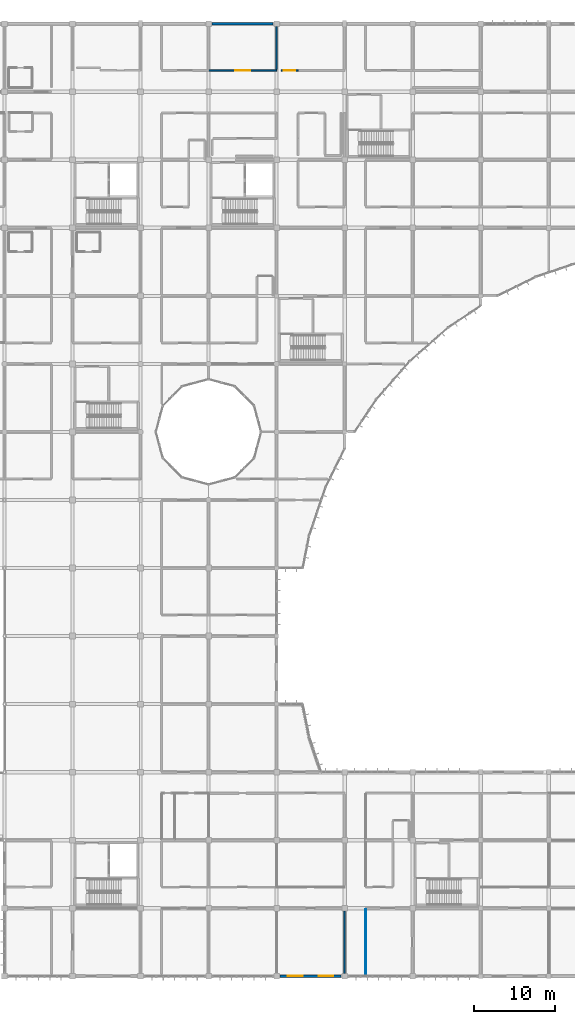
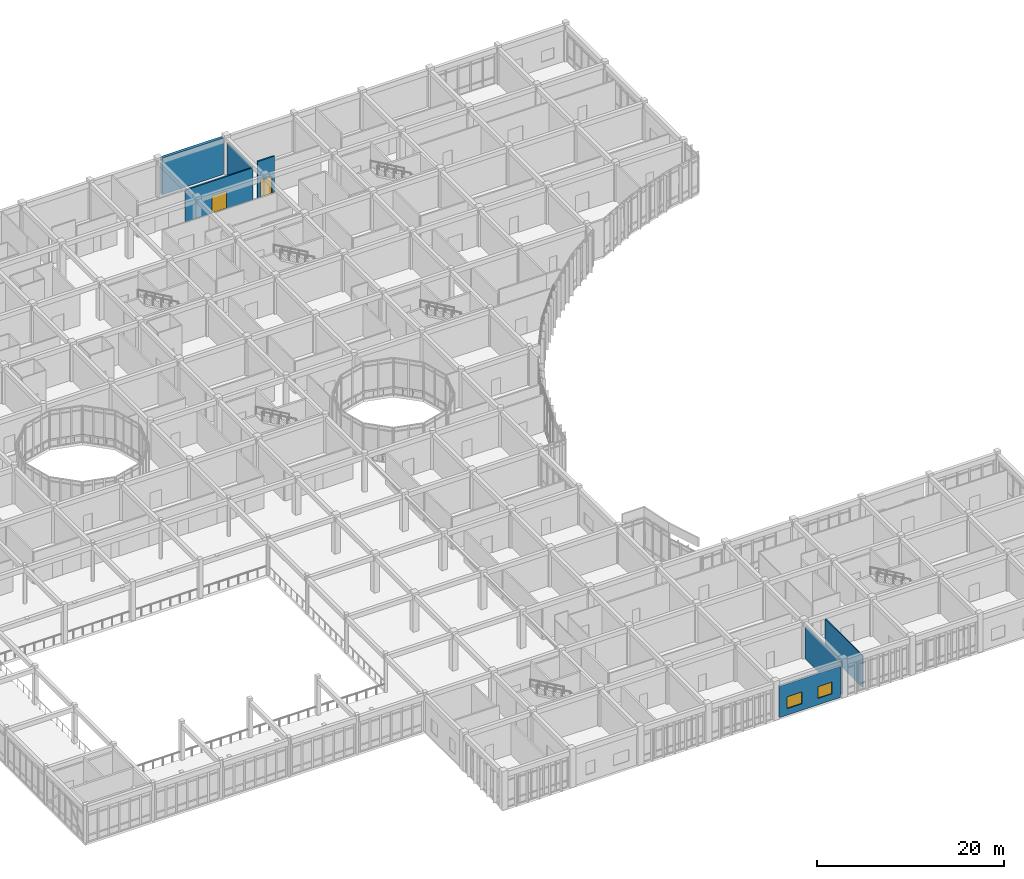
# One storey, part 107 of 134: 7 walls, 2 doors, 2 windows, 4 openings.
"""IFC4 building model written with IfcOpenShell, lengths in metres."""

from ifc_helpers import new_model, si_unit, direction, frame, frame_2d, origin, place, context, subcontext, project, spatial, rectangle, extrude, material, layer, layer_set, type_object, element, fill, save


model = new_model("IFC4")

# Units and contexts
model_context = context("Model", 3, precision=1e-05, world=origin(), true_north=direction((0.0, 1.0)))
body_context = subcontext(model_context, "Body", "Model", "MODEL_VIEW")
ifc_project = project(units=[si_unit("LENGTHUNIT", "METRE"), si_unit("AREAUNIT", "SQUARE_METRE"), si_unit("VOLUMEUNIT", "CUBIC_METRE"), si_unit("PLANEANGLEUNIT", "RADIAN"), si_unit("MASSUNIT", "GRAM", prefix="KILO")], contexts=[model_context])

# Site, building, storey
site_placement = place(None, origin())
site = spatial("IfcSite", under=ifc_project, at=site_placement, CompositionType="ELEMENT")
building_placement = place(site_placement, origin())
building = spatial("IfcBuilding", under=site, at=building_placement, Name="Bramfleet General Hospital", CompositionType="ELEMENT")
storey_placement = place(building_placement, frame((0.0, 0.0, 9.300048828125)))
storey = spatial("IfcBuildingStorey", under=building, at=storey_placement, Name="L02", CompositionType="ELEMENT", Elevation=9.300048828125)

# Wall
ifc_material_1 = material(Name="Concrete C35/45", Category="concrete")
ifc_layer_1 = layer(ifc_material_1, 0.360107421875, Name="WT-EW-02")
ifc_layer_set_1 = layer_set([ifc_layer_1], Name="Concrete C35/45")
wall_type_1 = type_object("IfcWallType", Name="WT-EW-02", PredefinedType="SOLIDWALL", material=ifc_layer_set_1)
wall_1_placement = place(storey_placement, frame((118.02490234375, 117.60009765625, 0.0), z_axis=(0.0, 0.0, 1.0), x_axis=(1.0, 0.0, 0.0)))
element("IfcWall", 1, at=wall_1_placement, inside=storey, type_object=wall_type_1, Name="L02 North REI 90-M Party Wall 211", PredefinedType="SOLIDWALL", context=body_context, shape_type="SweptSolid", body=[
    extrude(rectangle(XDim=7.550048828125, YDim=0.360107421875, at=frame_2d((3.77490234375, 0.0))), origin(), (0.0, 0.0, 1.0), 4.780029296875),
])

# Wall, openings, windows
ifc_material_2 = material(Name="Precast concrete C40/50", Category="concrete")
ifc_layer_2 = layer(ifc_material_2, 0.264892578125, Name="WT-EW-07")
ifc_layer_set_2 = layer_set([ifc_layer_2], Name="Precast concrete C40/50")
wall_type_2 = type_object("IfcWallType", Name="WT-EW-07", PredefinedType="SOLIDWALL", material=ifc_layer_set_2)
wall_2_placement = place(storey_placement, frame((133.97509765625, 0.0, 0.0), z_axis=(0.0, 0.0, 1.0), x_axis=(-1.0, 0.0, 0.0)))
wall_2 = element("IfcWall", 2, at=wall_2_placement, inside=storey, type_object=wall_type_2, Name="L02 Exterior Wall 229", PredefinedType="SOLIDWALL", context=body_context, shape_type="SweptSolid", body=[
    extrude(rectangle(XDim=7.550048828125, YDim=0.264892578125, at=frame_2d((3.77490234375, 0.0))), origin(), (0.0, 0.0, 1.0), 4.070068359375),
])
opening_1_placement = place(wall_2_placement, frame((1.012451171875, 0.0, 0.85009765625)))
opening_1 = element("IfcOpeningElement", 3, at=opening_1_placement, cuts=wall_2, Name="Opening W-28", PredefinedType="OPENING", context=body_context, shape_type="SweptSolid", body=[
    extrude(rectangle(XDim=1.75, YDim=1.5400390625, at=frame_2d((0.875, 0.77001953125))), frame((0.0, 0.142333984375, 0.0), z_axis=(0.0, -1.0, 0.0), x_axis=(1.0, 0.0, 0.0)), (0.0, 0.0, 1.0), 0.284912109375),
])
opening_2_placement = place(wall_2_placement, frame((4.737548828125, 0.0, 0.85009765625)))
opening_2 = element("IfcOpeningElement", 4, at=opening_2_placement, cuts=wall_2, Name="Opening W-29", PredefinedType="OPENING", context=body_context, shape_type="SweptSolid", body=[
    extrude(rectangle(XDim=1.85009765625, YDim=1.5400390625, at=frame_2d((0.925048828125, 0.77001953125))), frame((0.0, 0.142333984375, 0.0), z_axis=(0.0, -1.0, 0.0), x_axis=(1.0, 0.0, 0.0)), (0.0, 0.0, 1.0), 0.284912109375),
])
ifc_material_3 = material(Name="Anodised aluminium and low-E triple glazing", Category="aluminium")
window_type_1 = type_object("IfcWindowType", Name="WIN-W-28", PartitioningType="SINGLE_PANEL", PredefinedType="WINDOW", material=ifc_material_3)
window_1_placement = place(opening_1_placement, origin())
window_1 = element("IfcWindow", 5, at=window_1_placement, inside=storey, type_object=window_type_1, Name="L02 Facade Window WIN-L02-229-1", OverallHeight=1.5400390625, OverallWidth=1.75, PartitioningType="SINGLE_PANEL", PredefinedType="WINDOW", context=body_context, shape_type="SweptSolid", body=[
    extrude(rectangle(XDim=1.75, YDim=1.5400390625, at=frame_2d((0.875, 0.77001953125))), frame((0.0, 0.030029296875, 0.0), z_axis=(0.0, -1.0, 0.0), x_axis=(1.0, 0.0, 0.0)), (0.0, 0.0, 1.0), 0.06005859375),
])
fill(opening_1, window_1)
window_type_2 = type_object("IfcWindowType", Name="WIN-W-29", PartitioningType="SINGLE_PANEL", PredefinedType="WINDOW", material=ifc_material_3)
window_2_placement = place(opening_2_placement, origin())
window_2 = element("IfcWindow", 6, at=window_2_placement, inside=storey, type_object=window_type_2, Name="L02 Facade Window WIN-L02-229-2", OverallHeight=1.5400390625, OverallWidth=1.85009765625, PartitioningType="SINGLE_PANEL", PredefinedType="WINDOW", context=body_context, shape_type="SweptSolid", body=[
    extrude(rectangle(XDim=1.85009765625, YDim=1.5400390625, at=frame_2d((0.925048828125, 0.77001953125))), frame((0.0, 0.030029296875, 0.0), z_axis=(0.0, -1.0, 0.0), x_axis=(1.0, 0.0, 0.0)), (0.0, 0.0, 1.0), 0.06005859375),
])
fill(opening_2, window_2)

# Wall
ifc_layer_3 = layer(ifc_material_1, 0.205078125, Name="WT-IW-02")
ifc_layer_set_3 = layer_set([ifc_layer_3], Name="Concrete C35/45")
wall_type_3 = type_object("IfcWallType", Name="WT-IW-02", PredefinedType="PARTITIONING", material=ifc_layer_set_3)
wall_3_placement = place(storey_placement, frame((134.39990234375, 0.344970703125, 0.0), z_axis=(0.0, 0.0, 1.0), x_axis=(0.0, 1.0, 0.0)))
element("IfcWall", 7, at=wall_3_placement, inside=storey, type_object=wall_type_3, Name="L02 Interior Partition IW-L02-2414", PredefinedType="PARTITIONING", context=body_context, shape_type="SweptSolid", body=[
    extrude(rectangle(XDim=7.7099609375, YDim=0.205078125, at=frame_2d((3.85498046875, 0.0))), origin(), (0.0, 0.0, 1.0), 4.169921875),
])

# Wall, opening, door
ifc_layer_4 = layer(ifc_material_1, 0.179931640625, Name="WT-IW-04")
ifc_layer_set_4 = layer_set([ifc_layer_4], Name="Concrete C35/45")
wall_type_4 = type_object("IfcWallType", Name="WT-IW-04", PredefinedType="PARTITIONING", material=ifc_layer_set_4)
wall_4_placement = place(storey_placement, frame((117.60009765625, 111.85009765625, 0.0), z_axis=(0.0, 0.0, 1.0), x_axis=(1.0, 0.0, 0.0)))
wall_4 = element("IfcWall", 8, at=wall_4_placement, inside=storey, type_object=wall_type_4, Name="L02 Interior Partition IW-L02-2190", PredefinedType="PARTITIONING", context=body_context, shape_type="SweptSolid", body=[
    extrude(rectangle(XDim=8.39990234375, YDim=0.179931640625, at=frame_2d((4.199951171875, 0.0))), origin(), (0.0, 0.0, 1.0), 4.169921875),
])
opening_3_placement = place(wall_4_placement, frame((3.280029296875, 0.0, 0.0)))
opening_3 = element("IfcOpeningElement", 9, at=opening_3_placement, cuts=wall_4, Name="Opening D0980", PredefinedType="OPENING", context=body_context, shape_type="SweptSolid", body=[
    extrude(rectangle(XDim=1.840087890625, YDim=2.280029296875, at=frame_2d((0.919921875, 1.14013671875))), frame((0.0, 0.099853515625, 0.0), z_axis=(0.0, -1.0, 0.0), x_axis=(1.0, 0.0, 0.0)), (0.0, 0.0, 1.0), 0.199951171875),
])
ifc_material_4 = material(Name="Stainless steel and acoustic timber leaf", Category="steel")
door_type_1 = type_object("IfcDoorType", Name="DR-D-20", OperationType="NOTDEFINED", PredefinedType="DOOR", material=ifc_material_4)
door_1_placement = place(opening_3_placement, origin())
door_1 = element("IfcDoor", 10, at=door_1_placement, inside=storey, type_object=door_type_1, Name="Interventional Cardiology Cath Lab L02-1413 Door D0980", OperationType="DOUBLE_SWING_LEFT", OverallHeight=2.280029296875, OverallWidth=1.840087890625, PredefinedType="DOOR", context=body_context, shape_type="SweptSolid", body=[
    extrude(rectangle(XDim=1.840087890625, YDim=2.280029296875, at=frame_2d((0.919921875, 1.14013671875))), frame((0.0, 0.02490234375, 0.0), z_axis=(0.0, -1.0, 0.0), x_axis=(1.0, 0.0, 0.0)), (0.0, 0.0, 1.0), 0.050048828125),
])
fill(opening_3, door_1)

wall_5_placement = place(storey_placement, frame((126.550048828125, 111.85009765625, 0.0), z_axis=(0.0, 0.0, 1.0), x_axis=(1.0, 0.0, 0.0)))
wall_5 = element("IfcWall", 11, at=wall_5_placement, inside=storey, type_object=wall_type_4, Name="L02 Interior Partition IW-L02-2191", PredefinedType="PARTITIONING", context=body_context, shape_type="SweptSolid", body=[
    extrude(rectangle(XDim=2.099853515625, YDim=0.179931640625, at=frame_2d((1.0498046875, 0.0))), origin(), (0.0, 0.0, 1.0), 4.77001953125),
])
opening_4_placement = place(wall_5_placement, frame((0.340087890625, 0.0, 0.0)))
opening_4 = element("IfcOpeningElement", 12, at=opening_4_placement, cuts=wall_5, Name="Opening D0991", PredefinedType="OPENING", context=body_context, shape_type="SweptSolid", body=[
    extrude(rectangle(XDim=1.419921875, YDim=2.219970703125, at=frame_2d((0.7099609375, 1.10986328125))), frame((0.0, 0.099853515625, 0.0), z_axis=(0.0, -1.0, 0.0), x_axis=(1.0, 0.0, 0.0)), (0.0, 0.0, 1.0), 0.199951171875),
])
door_type_2 = type_object("IfcDoorType", Name="DR-D-31", OperationType="NOTDEFINED", PredefinedType="DOOR", material=ifc_material_4)
door_2_placement = place(opening_4_placement, origin())
door_2 = element("IfcDoor", 13, at=door_2_placement, inside=storey, type_object=door_type_2, Name="Interventional Cardiology Cath Lab L02-1513 Door D0991", OperationType="SINGLE_SWING_RIGHT", OverallHeight=2.219970703125, OverallWidth=1.419921875, PredefinedType="DOOR", context=body_context, shape_type="SweptSolid", body=[
    extrude(rectangle(XDim=1.419921875, YDim=2.219970703125, at=frame_2d((0.7099609375, 1.10986328125))), frame((0.0, 0.02490234375, 0.0), z_axis=(0.0, -1.0, 0.0), x_axis=(1.0, 0.0, 0.0)), (0.0, 0.0, 1.0), 0.050048828125),
])
fill(opening_4, door_2)

# Walls
wall_6_placement = place(storey_placement, frame((126.0, 111.965087890625, 0.0), z_axis=(0.0, 0.0, 1.0), x_axis=(0.0, 1.0, 0.0)))
element("IfcWall", 14, at=wall_6_placement, inside=storey, type_object=wall_type_4, Name="L02 Interior Partition IW-L02-2408", PredefinedType="PARTITIONING", context=body_context, shape_type="SweptSolid", body=[
    extrude(rectangle(XDim=5.289794921875, YDim=0.179931640625, at=frame_2d((2.64501953125, 0.0))), origin(), (0.0, 0.0, 1.0), 4.169921875),
])
ifc_material_5 = material(Name="Gypsum plasterboard on acoustic steel studs", Category="steel")
ifc_layer_5 = layer(ifc_material_5, 0.1201171875, Name="WT-IW-10")
ifc_layer_set_5 = layer_set([ifc_layer_5], Name="Gypsum plasterboard on acoustic steel studs")
wall_type_5 = type_object("IfcWallType", Name="WT-IW-10", PredefinedType="PARTITIONING", material=ifc_layer_set_5)
wall_7_placement = place(storey_placement, frame((137.0, 0.280029296875, 0.0), z_axis=(0.0, 0.0, 1.0), x_axis=(0.0, 1.0, 0.0)))
element("IfcWall", 15, at=wall_7_placement, inside=storey, type_object=wall_type_5, Name="L02 Interior Partition IW-L02-2422", PredefinedType="PARTITIONING", context=body_context, shape_type="SweptSolid", body=[
    extrude(rectangle(XDim=8.0048828125, YDim=0.1201171875, at=frame_2d((4.00244140625, 0.0))), origin(), (0.0, 0.0, 1.0), 4.169921875),
])

save(model, "model.ifc")
